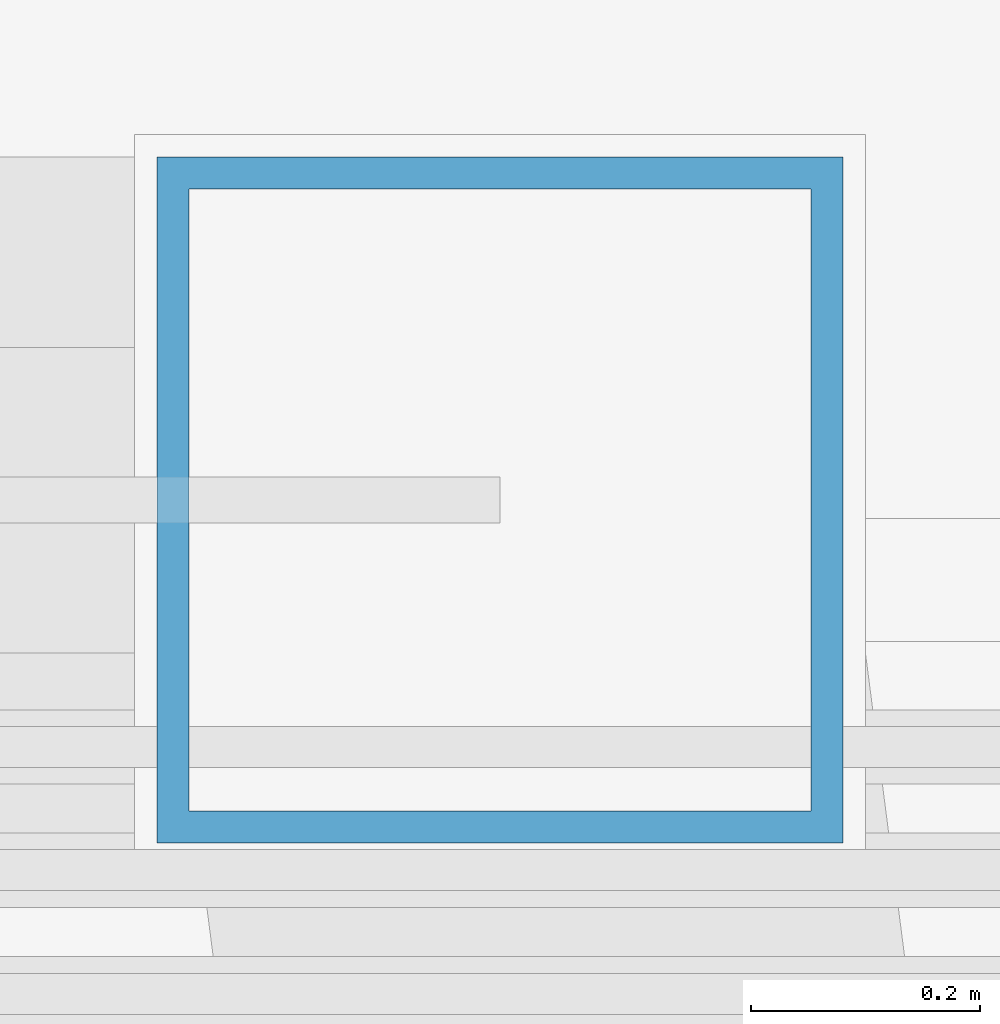
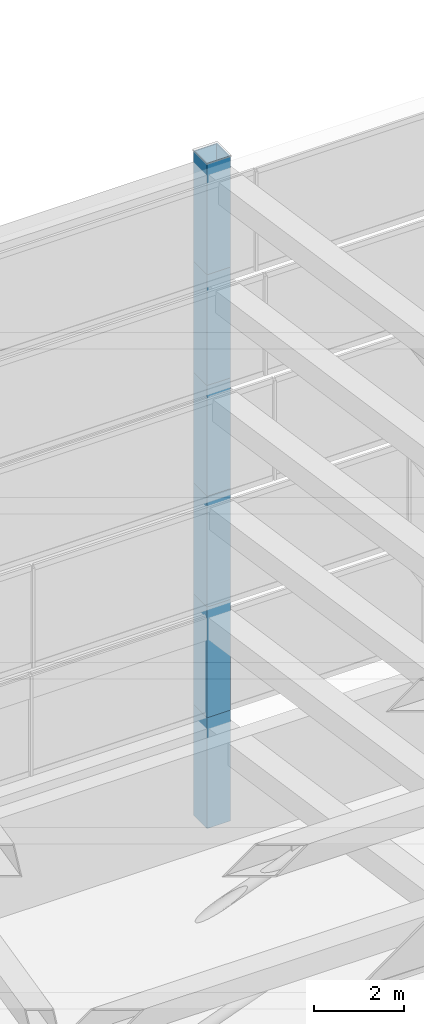
# One storey, part 19 of 29: 6 members.
"""IFC4 building model written with IfcOpenShell, lengths in metres."""

from ifc_helpers import new_model, si_unit, direction, frame, origin, origin_2d, place, context, subcontext, project, spatial, hollow_rectangle, extrude, material, material_profile, profile_set, type_object, element, save


model = new_model("IFC4")

# Units and contexts
model_context = context("Model", 3, precision=1e-05, world=origin(), true_north=direction((0.0, 1.0)))
body_context = subcontext(model_context, "Body", "Model", "MODEL_VIEW")
ifc_project = project(units=[si_unit("LENGTHUNIT", "METRE"), si_unit("AREAUNIT", "SQUARE_METRE"), si_unit("VOLUMEUNIT", "CUBIC_METRE"), si_unit("PLANEANGLEUNIT", "RADIAN"), si_unit("MASSUNIT", "GRAM", prefix="KILO")], contexts=[model_context])

# Site, building, storey
site_placement = place(None, origin())
site = spatial("IfcSite", under=ifc_project, at=site_placement, CompositionType="ELEMENT")
building_placement = place(site_placement, origin())
building = spatial("IfcBuilding", under=site, at=building_placement, Name="Saevonmaru Cultural Tower", CompositionType="ELEMENT")
storey_placement = place(building_placement, frame((0.0, 0.0, 327.60009765625)))
storey = spatial("IfcBuildingStorey", under=building, at=storey_placement, Name="RF", CompositionType="ELEMENT", Elevation=327.60009765625)

# Members
ifc_material = material(Name="Steel SM420", Category="steel")
ifc_material_profile = material_profile(ifc_material, hollow_rectangle(XDim=0.60009765625, YDim=0.60009765625, WallThickness=0.028076171875, at=origin_2d()), Name="BOX-600x600x28")
ifc_profile_set = profile_set([ifc_material_profile], Name="Steel SM420")
member_type = type_object("IfcMemberType", Name="CROWN-FRAME-POST", PredefinedType="POST", material=ifc_profile_set)
for number, where, z_axis, x_axis, name in (
    (1, (34.800048828125, 54.800048828125, 0.0), (0.0, 0.0, 1.0), (1.0, 0.0, 0.0), "RF Stepped Ziggurat CROWN FRAME Post T1-3"),
    (2, (34.800048828125, 54.800048828125, 3.0), (0.0, 0.0, 1.0), (1.0, 0.0, 0.0), "RF Stepped Ziggurat CROWN FRAME Post T2-3"),
    (3, (34.800048828125, 54.800048828125, 6.0), (0.0, 0.0, 1.0), (1.0, 0.0, 0.0), "RF Stepped Ziggurat CROWN FRAME Post T3-3"),
    (4, (34.800048828125, 54.800048828125, 9.0), (0.0, 0.0, 1.0), (1.0, 0.0, 0.0), "RF Stepped Ziggurat CROWN FRAME Post T4-3"),
    (5, (34.800048828125, 54.800048828125, 12.0), (0.0, 0.0, 1.0), (1.0, 0.0, 0.0), "RF Stepped Ziggurat CROWN FRAME Post T5-3"),
    (6, (34.800048828125, 54.800048828125, 15.0), (0.0, 0.0, 1.0), (1.0, 0.0, 0.0), "RF Stepped Ziggurat CROWN FRAME Post T6-3"),
):
    element("IfcMember", number, at=place(storey_placement, frame(where, z_axis=z_axis, x_axis=x_axis)), inside=storey, type_object=member_type, Name=name, PredefinedType="POST", context=body_context, shape_type="SweptSolid", body=[
        extrude(hollow_rectangle(XDim=0.60009765625, YDim=0.60009765625, WallThickness=0.028076171875, at=origin_2d()), origin(), (0.0, 0.0, 1.0), 3.0),
    ])

save(model, "model.ifc")
